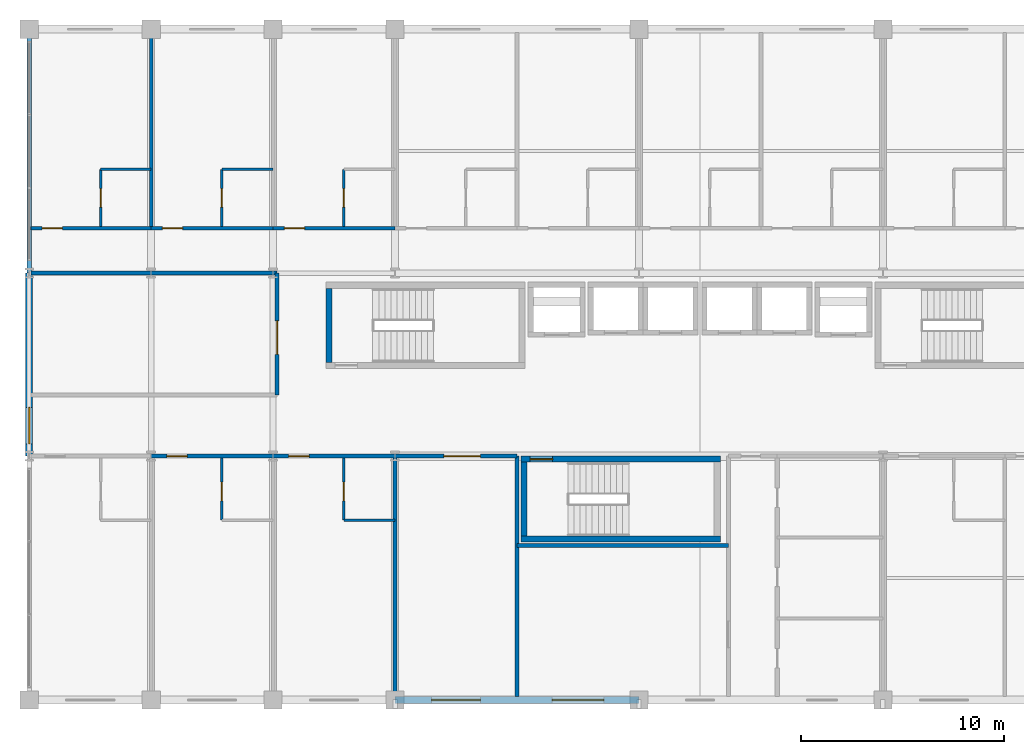
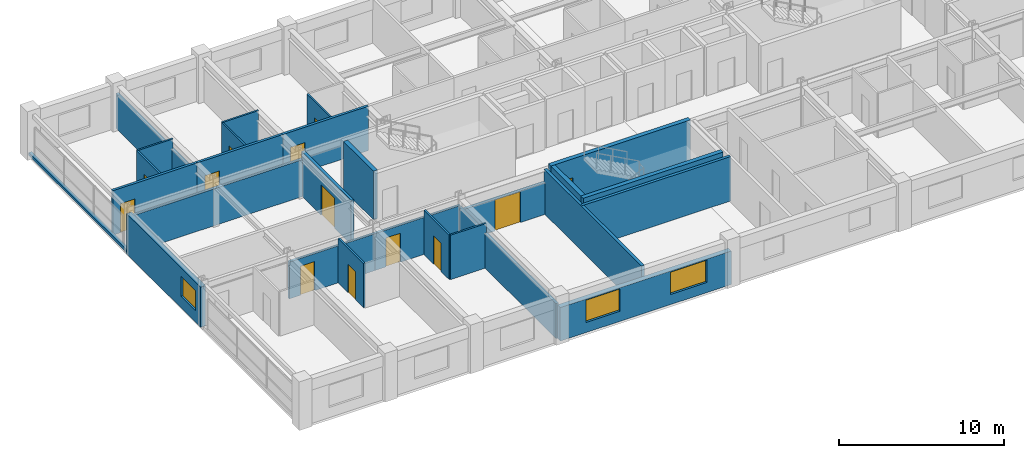
# One storey, part 16 of 22: 27 walls, 13 doors, 3 windows, 16 openings.
"""IFC4 building model written with IfcOpenShell, lengths in metres."""

from ifc_helpers import new_model, si_unit, direction, frame, frame_2d, origin, place, context, subcontext, project, spatial, rectangle, extrude, material, layer, layer_set, type_object, element, fill, save


model = new_model("IFC4")

# Units and contexts
model_context = context("Model", 3, precision=1e-05, world=origin(), true_north=direction((0.0, 1.0)))
body_context = subcontext(model_context, "Body", "Model", "MODEL_VIEW")
ifc_project = project(units=[si_unit("LENGTHUNIT", "METRE"), si_unit("AREAUNIT", "SQUARE_METRE"), si_unit("VOLUMEUNIT", "CUBIC_METRE"), si_unit("PLANEANGLEUNIT", "RADIAN"), si_unit("MASSUNIT", "GRAM", prefix="KILO")], contexts=[model_context])

# Site, building, storey
site_placement = place(None, origin())
site = spatial("IfcSite", under=ifc_project, at=site_placement, CompositionType="ELEMENT")
building_placement = place(site_placement, origin())
building = spatial("IfcBuilding", under=site, at=building_placement, Name="Kaldorvane Square Convention Centre", CompositionType="ELEMENT")
storey_placement = place(building_placement, frame((0.0, 0.0, 34.80000305175781)))
storey = spatial("IfcBuildingStorey", under=building, at=storey_placement, Name="L07", CompositionType="ELEMENT", Elevation=34.80000305175781)

# Wall, opening, door
ifc_material_1 = material(Name="Fire-Rated Gypsum Board on Acoustic Steel Studs", Category="steel")
ifc_layer_1 = layer(ifc_material_1, 0.125)
ifc_layer_set_1 = layer_set([ifc_layer_1], Name="Fire-Rated Gypsum Board on Acoustic Steel Studs")
wall_type_1 = type_object("IfcWallType", Name="WL-BATH-125", PredefinedType="PARTITIONING", material=ifc_layer_set_1)
wall_1_placement = place(storey_placement, frame((27.520004272460938, 107.28999328613281, 0.0), z_axis=(0.0, 0.0, 1.0), x_axis=(0.0, 1.0, 0.0)))
wall_1 = element("IfcWall", 1, at=wall_1_placement, inside=storey, type_object=wall_type_1, Name="En-Suite 701 West Wall", PredefinedType="PARTITIONING", context=body_context, shape_type="SweptSolid", body=[
    extrude(rectangle(XDim=2.8100128173828125, YDim=0.125, at=frame_2d((1.404998779296875, 0.0))), origin(), (0.0, 0.0, 1.0), 3.2899932861328125),
])
opening_1_placement = place(wall_1_placement, frame((0.9499969482421875, 0.0, 0.0)))
opening_1 = element("IfcOpeningElement", 2, at=opening_1_placement, cuts=wall_1, Name="Opening ID-12", PredefinedType="OPENING", context=body_context, shape_type="SweptSolid", body=[
    extrude(rectangle(XDim=0.9199981689453125, YDim=2.100006103515625, at=frame_2d((0.459991455078125, 1.0500030517578125))), frame((0.0, 0.0774993896484375, 0.0), z_axis=(0.0, -1.0, 0.0), x_axis=(1.0, 0.0, 0.0)), (0.0, 0.0, 1.0), 0.154998779296875),
])
ifc_material_2 = material(Name="Architectural Solid-Core White Oak")
door_type_1 = type_object("IfcDoorType", Name="DR-BATH-0920X2100", OperationType="SINGLE_SWING_RIGHT", PredefinedType="DOOR", material=ifc_material_2)
door_1_placement = place(opening_1_placement, origin())
door_1 = element("IfcDoor", 3, at=door_1_placement, inside=storey, type_object=door_type_1, Name="En-Suite Bathroom 701 Door", OperationType="SINGLE_SWING_RIGHT", OverallHeight=2.100006103515625, OverallWidth=0.9199981689453125, PredefinedType="DOOR", context=body_context, shape_type="SweptSolid", body=[
    extrude(rectangle(XDim=0.9199981689453125, YDim=2.100006103515625, at=frame_2d((0.459991455078125, 1.0500030517578125))), frame((0.0, 0.024993896484375, 0.0), z_axis=(0.0, -1.0, 0.0), x_axis=(1.0, 0.0, 0.0)), (0.0, 0.0, 1.0), 0.0500030517578125),
])
fill(opening_1, door_1)

# Wall
wall_2_placement = place(storey_placement, frame((27.520004272460938, 110.10000610351562, 0.0), z_axis=(0.0, 0.0, 1.0), x_axis=(1.0, 0.0, 0.0)))
element("IfcWall", 4, at=wall_2_placement, inside=storey, type_object=wall_type_1, Name="En-Suite 701 North Wall", PredefinedType="PARTITIONING", context=body_context, shape_type="SweptSolid", body=[
    extrude(rectangle(XDim=2.4799957275390625, YDim=0.125, at=frame_2d((1.239990234375, 0.0))), origin(), (0.0, 0.0, 1.0), 3.2899932861328125),
])

# Wall, opening, door
wall_3_placement = place(storey_placement, frame((33.47999572753906, 107.28999328613281, 0.0), z_axis=(0.0, 0.0, 1.0), x_axis=(0.0, 1.0, 0.0)))
wall_3 = element("IfcWall", 5, at=wall_3_placement, inside=storey, type_object=wall_type_1, Name="En-Suite 702 West Wall", PredefinedType="PARTITIONING", context=body_context, shape_type="SweptSolid", body=[
    extrude(rectangle(XDim=2.8100128173828125, YDim=0.125, at=frame_2d((1.404998779296875, 0.0))), origin(), (0.0, 0.0, 1.0), 3.2899932861328125),
])
opening_2_placement = place(wall_3_placement, frame((0.9499969482421875, 0.0, 0.0)))
opening_2 = element("IfcOpeningElement", 6, at=opening_2_placement, cuts=wall_3, Name="Opening ID-12", PredefinedType="OPENING", context=body_context, shape_type="SweptSolid", body=[
    extrude(rectangle(XDim=0.9199981689453125, YDim=2.100006103515625, at=frame_2d((0.459991455078125, 1.0500030517578125))), frame((0.0, 0.0774993896484375, 0.0), z_axis=(0.0, -1.0, 0.0), x_axis=(1.0, 0.0, 0.0)), (0.0, 0.0, 1.0), 0.154998779296875),
])
door_2_placement = place(opening_2_placement, origin())
door_2 = element("IfcDoor", 7, at=door_2_placement, inside=storey, type_object=door_type_1, Name="En-Suite Bathroom 702 Door", OperationType="SINGLE_SWING_RIGHT", OverallHeight=2.100006103515625, OverallWidth=0.9199981689453125, PredefinedType="DOOR", context=body_context, shape_type="SweptSolid", body=[
    extrude(rectangle(XDim=0.9199981689453125, YDim=2.100006103515625, at=frame_2d((0.459991455078125, 1.0500030517578125))), frame((0.0, 0.024993896484375, 0.0), z_axis=(0.0, -1.0, 0.0), x_axis=(1.0, 0.0, 0.0)), (0.0, 0.0, 1.0), 0.0500030517578125),
])
fill(opening_2, door_2)

# Wall
wall_4_placement = place(storey_placement, frame((33.47999572753906, 110.10000610351562, 0.0), z_axis=(0.0, 0.0, 1.0), x_axis=(1.0, 0.0, 0.0)))
element("IfcWall", 8, at=wall_4_placement, inside=storey, type_object=wall_type_1, Name="En-Suite 702 North Wall", PredefinedType="PARTITIONING", context=body_context, shape_type="SweptSolid", body=[
    extrude(rectangle(XDim=2.5200042724609375, YDim=0.125, at=frame_2d((1.260009765625, 0.0))), origin(), (0.0, 0.0, 1.0), 3.2899932861328125),
])

# Wall, opening, door
wall_5_placement = place(storey_placement, frame((39.47999572753906, 107.28999328613281, 0.0), z_axis=(0.0, 0.0, 1.0), x_axis=(0.0, 1.0, 0.0)))
wall_5 = element("IfcWall", 9, at=wall_5_placement, inside=storey, type_object=wall_type_1, Name="En-Suite 703 West Wall", PredefinedType="PARTITIONING", context=body_context, shape_type="SweptSolid", body=[
    extrude(rectangle(XDim=2.8100128173828125, YDim=0.125, at=frame_2d((1.404998779296875, 0.0))), origin(), (0.0, 0.0, 1.0), 3.2899932861328125),
])
opening_3_placement = place(wall_5_placement, frame((0.9499969482421875, 0.0, 0.0)))
opening_3 = element("IfcOpeningElement", 10, at=opening_3_placement, cuts=wall_5, Name="Opening ID-12", PredefinedType="OPENING", context=body_context, shape_type="SweptSolid", body=[
    extrude(rectangle(XDim=0.9199981689453125, YDim=2.100006103515625, at=frame_2d((0.459991455078125, 1.0500030517578125))), frame((0.0, 0.0774993896484375, 0.0), z_axis=(0.0, -1.0, 0.0), x_axis=(1.0, 0.0, 0.0)), (0.0, 0.0, 1.0), 0.154998779296875),
])
door_3_placement = place(opening_3_placement, origin())
door_3 = element("IfcDoor", 11, at=door_3_placement, inside=storey, type_object=door_type_1, Name="En-Suite Bathroom 703 Door", OperationType="SINGLE_SWING_RIGHT", OverallHeight=2.100006103515625, OverallWidth=0.9199981689453125, PredefinedType="DOOR", context=body_context, shape_type="SweptSolid", body=[
    extrude(rectangle(XDim=0.9199981689453125, YDim=2.100006103515625, at=frame_2d((0.459991455078125, 1.0500030517578125))), frame((0.0, 0.024993896484375, 0.0), z_axis=(0.0, -1.0, 0.0), x_axis=(1.0, 0.0, 0.0)), (0.0, 0.0, 1.0), 0.0500030517578125),
])
fill(opening_3, door_3)

wall_6_placement = place(storey_placement, frame((33.47999572753906, 92.85000610351562, 0.0), z_axis=(0.0, 0.0, 1.0), x_axis=(0.0, 1.0, 0.0)))
wall_6 = element("IfcWall", 12, at=wall_6_placement, inside=storey, type_object=wall_type_1, Name="En-Suite 714 West Wall", PredefinedType="PARTITIONING", context=body_context, shape_type="SweptSolid", body=[
    extrude(rectangle(XDim=3.05999755859375, YDim=0.125, at=frame_2d((1.529998779296875, 0.0))), origin(), (0.0, 0.0, 1.0), 3.2899932861328125),
])
opening_4_placement = place(wall_6_placement, frame((0.9499969482421875, 0.0, 0.0)))
opening_4 = element("IfcOpeningElement", 13, at=opening_4_placement, cuts=wall_6, Name="Opening ID-12", PredefinedType="OPENING", context=body_context, shape_type="SweptSolid", body=[
    extrude(rectangle(XDim=0.9199981689453125, YDim=2.100006103515625, at=frame_2d((0.459991455078125, 1.0500030517578125))), frame((0.0, 0.0774993896484375, 0.0), z_axis=(0.0, -1.0, 0.0), x_axis=(1.0, 0.0, 0.0)), (0.0, 0.0, 1.0), 0.154998779296875),
])
door_4_placement = place(opening_4_placement, origin())
door_4 = element("IfcDoor", 14, at=door_4_placement, inside=storey, type_object=door_type_1, Name="En-Suite Bathroom 714 Door", OperationType="SINGLE_SWING_RIGHT", OverallHeight=2.100006103515625, OverallWidth=0.9199981689453125, PredefinedType="DOOR", context=body_context, shape_type="SweptSolid", body=[
    extrude(rectangle(XDim=0.9199981689453125, YDim=2.100006103515625, at=frame_2d((0.459991455078125, 1.0500030517578125))), frame((0.0, 0.024993896484375, 0.0), z_axis=(0.0, -1.0, 0.0), x_axis=(1.0, 0.0, 0.0)), (0.0, 0.0, 1.0), 0.0500030517578125),
])
fill(opening_4, door_4)

wall_7_placement = place(storey_placement, frame((39.47999572753906, 92.85000610351562, 0.0), z_axis=(0.0, 0.0, 1.0), x_axis=(0.0, 1.0, 0.0)))
wall_7 = element("IfcWall", 15, at=wall_7_placement, inside=storey, type_object=wall_type_1, Name="En-Suite 715 West Wall", PredefinedType="PARTITIONING", context=body_context, shape_type="SweptSolid", body=[
    extrude(rectangle(XDim=3.05999755859375, YDim=0.125, at=frame_2d((1.529998779296875, 0.0))), origin(), (0.0, 0.0, 1.0), 3.2899932861328125),
])
opening_5_placement = place(wall_7_placement, frame((0.9499969482421875, 0.0, 0.0)))
opening_5 = element("IfcOpeningElement", 16, at=opening_5_placement, cuts=wall_7, Name="Opening ID-12", PredefinedType="OPENING", context=body_context, shape_type="SweptSolid", body=[
    extrude(rectangle(XDim=0.9199981689453125, YDim=2.100006103515625, at=frame_2d((0.459991455078125, 1.0500030517578125))), frame((0.0, 0.0774993896484375, 0.0), z_axis=(0.0, -1.0, 0.0), x_axis=(1.0, 0.0, 0.0)), (0.0, 0.0, 1.0), 0.154998779296875),
])
door_5_placement = place(opening_5_placement, origin())
door_5 = element("IfcDoor", 17, at=door_5_placement, inside=storey, type_object=door_type_1, Name="En-Suite Bathroom 715 Door", OperationType="SINGLE_SWING_RIGHT", OverallHeight=2.100006103515625, OverallWidth=0.9199981689453125, PredefinedType="DOOR", context=body_context, shape_type="SweptSolid", body=[
    extrude(rectangle(XDim=0.9199981689453125, YDim=2.100006103515625, at=frame_2d((0.459991455078125, 1.0500030517578125))), frame((0.0, 0.024993896484375, 0.0), z_axis=(0.0, -1.0, 0.0), x_axis=(1.0, 0.0, 0.0)), (0.0, 0.0, 1.0), 0.0500030517578125),
])
fill(opening_5, door_5)

# Walls
wall_8_placement = place(storey_placement, frame((39.47999572753906, 92.85000610351562, 0.0), z_axis=(0.0, 0.0, 1.0), x_axis=(1.0, 0.0, 0.0)))
element("IfcWall", 18, at=wall_8_placement, inside=storey, type_object=wall_type_1, Name="En-Suite 715 South Wall", PredefinedType="PARTITIONING", context=body_context, shape_type="SweptSolid", body=[
    extrude(rectangle(XDim=2.5200042724609375, YDim=0.125, at=frame_2d((1.260009765625, 0.0))), origin(), (0.0, 0.0, 1.0), 3.2899932861328125),
])
ifc_layer_2 = layer(ifc_material_1, 0.1999969482421875)
ifc_layer_set_2 = layer_set([ifc_layer_2], Name="Fire-Rated Gypsum Board on Acoustic Steel Studs")
wall_type_2 = type_object("IfcWallType", Name="WL-CORR-200", PredefinedType="PARTITIONING", material=ifc_layer_set_2)
wall_9_placement = place(storey_placement, frame((48.0, 91.60000610351562, 0.0), z_axis=(0.0, 0.0, 1.0), x_axis=(1.0, 0.0, 0.0)))
element("IfcWall", 19, at=wall_9_placement, inside=storey, type_object=wall_type_2, Name="Housekeeping North Wall (L07)", PredefinedType="PARTITIONING", context=body_context, shape_type="SweptSolid", body=[
    extrude(rectangle(XDim=10.399993896484375, YDim=0.1999969482421875, at=frame_2d((5.1999969482421875, 0.0))), origin(), (0.0, 0.0, 1.0), 3.2899932861328125),
])
wall_10_placement = place(storey_placement, frame((48.0, 84.17500305175781, 0.0), z_axis=(0.0, 0.0, 1.0), x_axis=(0.0, 1.0, 0.0)))
element("IfcWall", 20, at=wall_10_placement, inside=storey, type_object=wall_type_2, Name="Service Block West Wall (L07)", PredefinedType="PARTITIONING", context=body_context, shape_type="SweptSolid", body=[
    extrude(rectangle(XDim=11.824996948242188, YDim=0.1999969482421875, at=frame_2d((5.912506103515625, 0.0))), origin(), (0.0, 0.0, 1.0), 3.2899932861328125),
])

# Wall, opening, door
wall_11_placement = place(storey_placement, frame((42.0, 96.0, 0.0), z_axis=(0.0, 0.0, 1.0), x_axis=(1.0, 0.0, 0.0)))
wall_11 = element("IfcWall", 21, at=wall_11_placement, inside=storey, type_object=wall_type_2, Name="South Tower Club Lounge Corridor Wall (L07)", PredefinedType="PARTITIONING", context=body_context, shape_type="SweptSolid", body=[
    extrude(rectangle(XDim=6.0, YDim=0.1999969482421875, at=frame_2d((3.0, 0.0))), origin(), (0.0, 0.0, 1.0), 2.3589935302734375),
])
opening_6_placement = place(wall_11_placement, frame((2.399993896484375, 0.0, 0.0)))
opening_6 = element("IfcOpeningElement", 22, at=opening_6_placement, cuts=wall_11, Name="Opening ID-15", PredefinedType="OPENING", context=body_context, shape_type="SweptSolid", body=[
    extrude(rectangle(XDim=1.8000030517578125, YDim=2.3000030517578125, at=frame_2d((0.899993896484375, 1.149993896484375))), frame((0.0, 0.114990234375, 0.0), z_axis=(0.0, -1.0, 0.0), x_axis=(1.0, 0.0, 0.0)), (0.0, 0.0, 1.0), 0.2299957275390625),
])
ifc_material_3 = material(Name="Acoustic Laminated Glass in Aluminum Frame", Category="aluminium")
door_type_2 = type_object("IfcDoorType", Name="DR-GL-1800X2300", OperationType="DOUBLE_DOOR_SINGLE_SWING", PredefinedType="DOOR", material=ifc_material_3)
door_6_placement = place(opening_6_placement, origin())
door_6 = element("IfcDoor", 23, at=door_6_placement, inside=storey, type_object=door_type_2, Name="South Tower Club Lounge Entry Door (L07)", OperationType="DOUBLE_DOOR_SINGLE_SWING", OverallHeight=2.3000030517578125, OverallWidth=1.8000030517578125, PredefinedType="DOOR", context=body_context, shape_type="SweptSolid", body=[
    extrude(rectangle(XDim=1.8000030517578125, YDim=2.3000030517578125, at=frame_2d((0.899993896484375, 1.149993896484375))), frame((0.0, 0.024993896484375, 0.0), z_axis=(0.0, -1.0, 0.0), x_axis=(1.0, 0.0, 0.0)), (0.0, 0.0, 1.0), 0.0500030517578125),
])
fill(opening_6, door_6)

wall_12_placement = place(storey_placement, frame((36.19999694824219, 99.0, 0.0), z_axis=(0.0, 0.0, 1.0), x_axis=(0.0, 1.0, 0.0)))
wall_12 = element("IfcWall", 24, at=wall_12_placement, inside=storey, type_object=wall_type_2, Name="West Sunset Sitting Alcove (L07) E Wall", PredefinedType="PARTITIONING", context=body_context, shape_type="SweptSolid", body=[
    extrude(rectangle(XDim=6.0, YDim=0.1999969482421875, at=frame_2d((3.0, 0.0))), origin(), (0.0, 0.0, 1.0), 3.2899932861328125),
])
opening_7_placement = place(wall_12_placement, frame((2.0, 0.0, 0.0)))
opening_7 = element("IfcOpeningElement", 25, at=opening_7_placement, cuts=wall_12, Name="Opening ID-16", PredefinedType="OPENING", context=body_context, shape_type="SweptSolid", body=[
    extrude(rectangle(XDim=1.649993896484375, YDim=2.25, at=frame_2d((0.8249969482421875, 1.125))), frame((0.0, 0.114990234375, 0.0), z_axis=(0.0, -1.0, 0.0), x_axis=(1.0, 0.0, 0.0)), (0.0, 0.0, 1.0), 0.2299957275390625),
])
door_type_3 = type_object("IfcDoorType", Name="DR-GL-1650X2250", OperationType="DOUBLE_DOOR_SINGLE_SWING", PredefinedType="DOOR", material=ifc_material_3)
door_7_placement = place(opening_7_placement, origin())
door_7 = element("IfcDoor", 26, at=door_7_placement, inside=storey, type_object=door_type_3, Name="West Sunset Sitting Alcove (L07) Door 1", OperationType="DOUBLE_DOOR_SINGLE_SWING", OverallHeight=2.25, OverallWidth=1.649993896484375, PredefinedType="DOOR", context=body_context, shape_type="SweptSolid", body=[
    extrude(rectangle(XDim=1.649993896484375, YDim=2.25, at=frame_2d((0.8249969482421875, 1.125))), frame((0.0, 0.024993896484375, 0.0), z_axis=(0.0, -1.0, 0.0), x_axis=(1.0, 0.0, 0.0)), (0.0, 0.0, 1.0), 0.0500030517578125),
])
fill(opening_7, door_7)

# Wall
wall_13_placement = place(storey_placement, frame((36.19999694824219, 105.0, 0.0), z_axis=(0.0, 0.0, 1.0), x_axis=(-1.0, 0.0, 0.0)))
element("IfcWall", 27, at=wall_13_placement, inside=storey, type_object=wall_type_2, Name="West Sunset Sitting Alcove (L07) N Wall", PredefinedType="PARTITIONING", context=body_context, shape_type="SweptSolid", body=[
    extrude(rectangle(XDim=12.114990234375, YDim=0.1999969482421875, at=frame_2d((6.0574951171875, 0.0))), origin(), (0.0, 0.0, 1.0), 2.735992431640625),
])

# Wall, openings, windows
ifc_material_4 = material(Name="Concrete f'c = 42 MPa (Normalweight)", Category="concrete")
ifc_layer_3 = layer(ifc_material_4, 0.350006103515625)
ifc_layer_set_3 = layer_set([ifc_layer_3], Name="Concrete f'c = 42 MPa (Normalweight)")
wall_type_3 = type_object("IfcWallType", Name="WL-EXT-350", PredefinedType="STANDARD", material=ifc_layer_set_3)
wall_14_placement = place(storey_placement, frame((42.0, 84.0, 0.0), z_axis=(0.0, 0.0, 1.0), x_axis=(1.0, 0.0, 0.0)))
wall_14 = element("IfcWall", 28, at=wall_14_placement, inside=storey, type_object=wall_type_3, Name="Hotel S Brutalist Facade Wall (L07)", PredefinedType="STANDARD", context=body_context, shape_type="SweptSolid", body=[
    extrude(rectangle(XDim=12.0, YDim=0.350006103515625, at=frame_2d((6.0, 0.0))), origin(), (0.0, 0.0, 1.0), 2.485992431640625),
])
opening_8_placement = place(wall_14_placement, frame((1.8000030517578125, 0.0, 0.75)))
opening_8 = element("IfcOpeningElement", 29, at=opening_8_placement, cuts=wall_14, Name="Opening W-01", PredefinedType="OPENING", context=body_context, shape_type="SweptSolid", body=[
    extrude(rectangle(XDim=2.399993896484375, YDim=1.649993896484375, at=frame_2d((1.1999969482421875, 0.8249969482421875))), frame((0.0, 0.19000244140625, 0.0), z_axis=(0.0, -1.0, 0.0), x_axis=(1.0, 0.0, 0.0)), (0.0, 0.0, 1.0), 0.3800048828125),
])
opening_9_placement = place(wall_14_placement, frame((7.725006103515625, 0.0, 0.75)))
opening_9 = element("IfcOpeningElement", 30, at=opening_9_placement, cuts=wall_14, Name="Opening W-02", PredefinedType="OPENING", context=body_context, shape_type="SweptSolid", body=[
    extrude(rectangle(XDim=2.5500030517578125, YDim=1.649993896484375, at=frame_2d((1.274993896484375, 0.8249969482421875))), frame((0.0, 0.19000244140625, 0.0), z_axis=(0.0, -1.0, 0.0), x_axis=(1.0, 0.0, 0.0)), (0.0, 0.0, 1.0), 0.3800048828125),
])
ifc_material_5 = material(Name="Anodized Aluminum and Low-E Insulated Glazing", Category="aluminium")
window_type_1 = type_object("IfcWindowType", Name="WN-HTL-2400X1650", PartitioningType="DOUBLE_PANEL_VERTICAL", PredefinedType="WINDOW", material=ifc_material_5)
window_1_placement = place(opening_8_placement, origin())
window_1 = element("IfcWindow", 31, at=window_1_placement, inside=storey, type_object=window_type_1, Name="Hotel S Window (L07)", OverallHeight=1.649993896484375, OverallWidth=2.399993896484375, PartitioningType="DOUBLE_PANEL_VERTICAL", PredefinedType="WINDOW", context=body_context, shape_type="SweptSolid", body=[
    extrude(rectangle(XDim=2.399993896484375, YDim=1.649993896484375, at=frame_2d((1.1999969482421875, 0.8249969482421875))), frame((0.0, 0.029998779296875, 0.0), z_axis=(0.0, -1.0, 0.0), x_axis=(1.0, 0.0, 0.0)), (0.0, 0.0, 1.0), 0.05999755859375),
])
fill(opening_8, window_1)
window_type_2 = type_object("IfcWindowType", Name="WN-HTL-2550X1650", PartitioningType="DOUBLE_PANEL_VERTICAL", PredefinedType="WINDOW", material=ifc_material_5)
window_2_placement = place(opening_9_placement, origin())
window_2 = element("IfcWindow", 32, at=window_2_placement, inside=storey, type_object=window_type_2, Name="Hotel S Window (L07)", OverallHeight=1.649993896484375, OverallWidth=2.5500030517578125, PartitioningType="DOUBLE_PANEL_VERTICAL", PredefinedType="WINDOW", context=body_context, shape_type="SweptSolid", body=[
    extrude(rectangle(XDim=2.5500030517578125, YDim=1.649993896484375, at=frame_2d((1.274993896484375, 0.8249969482421875))), frame((0.0, 0.029998779296875, 0.0), z_axis=(0.0, -1.0, 0.0), x_axis=(1.0, 0.0, 0.0)), (0.0, 0.0, 1.0), 0.05999755859375),
])
fill(opening_9, window_2)

# Wall, opening, window
wall_15_placement = place(storey_placement, frame((24.0, 105.0, 0.0), z_axis=(0.0, 0.0, 1.0), x_axis=(0.0, -1.0, 0.0)))
wall_15 = element("IfcWall", 33, at=wall_15_placement, inside=storey, type_object=wall_type_3, Name="Hotel W End Wall (L07)", PredefinedType="STANDARD", context=body_context, shape_type="SweptSolid", body=[
    extrude(rectangle(XDim=9.0, YDim=0.350006103515625, at=frame_2d((4.5, 0.0))), origin(), (0.0, 0.0, 1.0), 2.9810028076171875),
])
opening_10_placement = place(wall_15_placement, frame((6.600006103515625, 0.0, 0.850006103515625)))
opening_10 = element("IfcOpeningElement", 34, at=opening_10_placement, cuts=wall_15, Name="Opening W-11", PredefinedType="OPENING", context=body_context, shape_type="SweptSolid", body=[
    extrude(rectangle(XDim=1.8000030517578125, YDim=1.5, at=frame_2d((0.899993896484375, 0.75))), frame((0.0, 0.19000244140625, 0.0), z_axis=(0.0, -1.0, 0.0), x_axis=(1.0, 0.0, 0.0)), (0.0, 0.0, 1.0), 0.3800048828125),
])
window_type_3 = type_object("IfcWindowType", Name="WN-HTL-1800X1500", PartitioningType="SINGLE_PANEL", PredefinedType="WINDOW", material=ifc_material_5)
window_3_placement = place(opening_10_placement, origin())
window_3 = element("IfcWindow", 35, at=window_3_placement, inside=storey, type_object=window_type_3, Name="Hotel End Window W (L07)", OverallHeight=1.5, OverallWidth=1.8000030517578125, PartitioningType="SINGLE_PANEL", PredefinedType="WINDOW", context=body_context, shape_type="SweptSolid", body=[
    extrude(rectangle(XDim=1.8000030517578125, YDim=1.5, at=frame_2d((0.899993896484375, 0.75))), frame((0.0, 0.029998779296875, 0.0), z_axis=(0.0, -1.0, 0.0), x_axis=(1.0, 0.0, 0.0)), (0.0, 0.0, 1.0), 0.05999755859375),
])
fill(opening_10, window_3)

# Walls
ifc_material_6 = material(Name="Concrete f'c = 35 MPa (Normalweight)", Category="concrete")
ifc_layer_4 = layer(ifc_material_6, 0.220001220703125)
ifc_layer_set_4 = layer_set([ifc_layer_4], Name="Concrete f'c = 35 MPa (Normalweight)")
wall_type_4 = type_object("IfcWallType", Name="WL-PAR-220", PredefinedType="PARAPET", material=ifc_layer_set_4)
wall_16_placement = place(storey_placement, frame((24.0, 117.0, 0.0), z_axis=(0.0, 0.0, 1.0), x_axis=(0.0, -1.0, 0.0)))
element("IfcWall", 36, at=wall_16_placement, inside=storey, type_object=wall_type_4, Name="Hotel End Curtain-Wall Sill (L07)", PredefinedType="PARAPET", context=body_context, shape_type="SweptSolid", body=[
    extrude(rectangle(XDim=12.0, YDim=0.220001220703125, at=frame_2d((6.0, 0.0))), origin(), (0.0, 0.0, 1.0), 0.1999969482421875),
])
ifc_material_7 = material(Name="Concrete f'c = 55 MPa (Normalweight)", Category="concrete")
ifc_layer_5 = layer(ifc_material_7, 0.3000030517578125)
ifc_layer_set_5 = layer_set([ifc_layer_5], Name="Concrete f'c = 55 MPa (Normalweight)")
wall_type_5 = type_object("IfcWallType", Name="WL-SHAFT-300", PredefinedType="SHEAR", material=ifc_layer_set_5)
wall_17_placement = place(storey_placement, frame((38.75, 104.25, 0.0), z_axis=(0.0, 0.0, 1.0), x_axis=(0.0, -1.0, 0.0)))
element("IfcWall", 37, at=wall_17_placement, inside=storey, type_object=wall_type_5, Name="Core Enclosure Wall stair:ST-T1-W (L07)", PredefinedType="SHEAR", context=body_context, shape_type="SweptSolid", body=[
    extrude(rectangle(XDim=3.6399993896484375, YDim=0.3000030517578125, at=frame_2d((1.82000732421875, 0.0))), origin(), (0.0, 0.0, 1.0), 3.5999908447265625),
])
wall_18_placement = place(storey_placement, frame((48.19999694824219, 91.91000366210938, 0.0), z_axis=(0.0, 0.0, 1.0), x_axis=(1.0, 0.0, 0.0)))
element("IfcWall", 38, at=wall_18_placement, inside=storey, type_object=wall_type_5, Name="Core Enclosure Wall stair:ST-T3-S (L07)", PredefinedType="SHEAR", context=body_context, shape_type="SweptSolid", body=[
    extrude(rectangle(XDim=9.800003051757812, YDim=0.3000030517578125, at=frame_2d((4.899993896484375, 0.0))), origin(), (0.0, 0.0, 1.0), 3.5999908447265625),
])

# Wall, opening, door
wall_19_placement = place(storey_placement, frame((58.0, 95.85000610351562, 0.0), z_axis=(0.0, 0.0, 1.0), x_axis=(-1.0, 0.0, 0.0)))
wall_19 = element("IfcWall", 39, at=wall_19_placement, inside=storey, type_object=wall_type_5, Name="Core Enclosure Wall stair:ST-T3-N (L07)", PredefinedType="SHEAR", context=body_context, shape_type="SweptSolid", body=[
    extrude(rectangle(XDim=9.800003051757812, YDim=0.3000030517578125, at=frame_2d((4.899993896484375, 0.0))), origin(), (0.0, 0.0, 1.0), 3.5999908447265625),
])
opening_11_placement = place(wall_19_placement, frame((8.25, 0.0, 0.0)))
opening_11 = element("IfcOpeningElement", 40, at=opening_11_placement, cuts=wall_19, Name="Opening FD90-S1", PredefinedType="OPENING", context=body_context, shape_type="SweptSolid", body=[
    extrude(rectangle(XDim=1.100006103515625, YDim=2.1999969482421875, at=frame_2d((0.5500030517578125, 1.100006103515625))), frame((0.0, 0.165008544921875, 0.0), z_axis=(0.0, -1.0, 0.0), x_axis=(1.0, 0.0, 0.0)), (0.0, 0.0, 1.0), 0.3300018310546875),
])
ifc_material_8 = material(Name="Fire-Rated Hollow Metal Steel", Category="steel")
door_type_4 = type_object("IfcDoorType", Name="DR-STAIR-1100", OperationType="SINGLE_SWING_RIGHT", PredefinedType="DOOR", material=ifc_material_8)
door_8_placement = place(opening_11_placement, origin())
door_8 = element("IfcDoor", 41, at=door_8_placement, inside=storey, type_object=door_type_4, Name="Tower Exit Stair T3 Fire Door (L07)", OperationType="SINGLE_SWING_RIGHT", OverallHeight=2.1999969482421875, OverallWidth=1.100006103515625, PredefinedType="DOOR", context=body_context, shape_type="SweptSolid", body=[
    extrude(rectangle(XDim=1.100006103515625, YDim=2.1999969482421875, at=frame_2d((0.5500030517578125, 1.100006103515625))), frame((0.0, 0.024993896484375, 0.0), z_axis=(0.0, -1.0, 0.0), x_axis=(1.0, 0.0, 0.0)), (0.0, 0.0, 1.0), 0.0500030517578125),
])
fill(opening_11, door_8)

# Wall
wall_20_placement = place(storey_placement, frame((48.350006103515625, 95.69999694824219, 0.0), z_axis=(0.0, 0.0, 1.0), x_axis=(0.0, -1.0, 0.0)))
element("IfcWall", 42, at=wall_20_placement, inside=storey, type_object=wall_type_5, Name="Core Enclosure Wall stair:ST-T3-W (L07)", PredefinedType="SHEAR", context=body_context, shape_type="SweptSolid", body=[
    extrude(rectangle(XDim=3.6399993896484375, YDim=0.3000030517578125, at=frame_2d((1.82000732421875, 0.0))), origin(), (0.0, 0.0, 1.0), 3.5999908447265625),
])

# Wall, opening, door
ifc_layer_6 = layer(ifc_material_1, 0.17999267578125)
ifc_layer_set_6 = layer_set([ifc_layer_6], Name="Fire-Rated Gypsum Board on Acoustic Steel Studs")
wall_type_6 = type_object("IfcWallType", Name="WL-UNIT-180", PredefinedType="PARTITIONING", material=ifc_layer_set_6)
wall_21_placement = place(storey_placement, frame((24.085006713867188, 107.19999694824219, 0.0), z_axis=(0.0, 0.0, 1.0), x_axis=(1.0, 0.0, 0.0)))
wall_21 = element("IfcWall", 43, at=wall_21_placement, inside=storey, type_object=wall_type_6, Name="Hotel Guest Room 701 Corridor Wall", PredefinedType="PARTITIONING", context=body_context, shape_type="SweptSolid", body=[
    extrude(rectangle(XDim=5.9149932861328125, YDim=0.17999267578125, at=frame_2d((2.957489013671875, 0.0))), origin(), (0.0, 0.0, 1.0), 3.2899932861328125),
])
opening_12_placement = place(wall_21_placement, frame((0.5500030517578125, 0.0, 0.0)))
opening_12 = element("IfcOpeningElement", 44, at=opening_12_placement, cuts=wall_21, Name="Opening ID-10", PredefinedType="OPENING", context=body_context, shape_type="SweptSolid", body=[
    extrude(rectangle(XDim=1.0, YDim=2.149993896484375, at=frame_2d((0.5, 1.0749969482421875))), frame((0.0, 0.1049957275390625, 0.0), z_axis=(0.0, -1.0, 0.0), x_axis=(1.0, 0.0, 0.0)), (0.0, 0.0, 1.0), 0.209991455078125),
])
door_type_5 = type_object("IfcDoorType", Name="DR-GUEST-1000X2150", OperationType="SINGLE_SWING_LEFT", PredefinedType="DOOR", material=ifc_material_2)
door_9_placement = place(opening_12_placement, origin())
door_9 = element("IfcDoor", 45, at=door_9_placement, inside=storey, type_object=door_type_5, Name="Hotel Guest Room 701 Entry Door", OperationType="SINGLE_SWING_LEFT", OverallHeight=2.149993896484375, OverallWidth=1.0, PredefinedType="DOOR", context=body_context, shape_type="SweptSolid", body=[
    extrude(rectangle(XDim=1.0, YDim=2.149993896484375, at=frame_2d((0.5, 1.0749969482421875))), frame((0.0, 0.024993896484375, 0.0), z_axis=(0.0, -1.0, 0.0), x_axis=(1.0, 0.0, 0.0)), (0.0, 0.0, 1.0), 0.0500030517578125),
])
fill(opening_12, door_9)

# Wall
wall_22_placement = place(storey_placement, frame((30.0, 107.19999694824219, 0.0), z_axis=(0.0, 0.0, 1.0), x_axis=(0.0, 1.0, 0.0)))
element("IfcWall", 46, at=wall_22_placement, inside=storey, type_object=wall_type_6, Name="Guestroom Demising Wall 701", PredefinedType="PARTITIONING", context=body_context, shape_type="SweptSolid", body=[
    extrude(rectangle(XDim=9.625, YDim=0.17999267578125, at=frame_2d((4.8125, 0.0))), origin(), (0.0, 0.0, 1.0), 2.589996337890625),
])

# Wall, opening, door
wall_23_placement = place(storey_placement, frame((30.0, 107.19999694824219, 0.0), z_axis=(0.0, 0.0, 1.0), x_axis=(1.0, 0.0, 0.0)))
wall_23 = element("IfcWall", 47, at=wall_23_placement, inside=storey, type_object=wall_type_6, Name="Hotel Guest Room 702 Corridor Wall", PredefinedType="PARTITIONING", context=body_context, shape_type="SweptSolid", body=[
    extrude(rectangle(XDim=6.0, YDim=0.17999267578125, at=frame_2d((3.0, 0.0))), origin(), (0.0, 0.0, 1.0), 3.2899932861328125),
])
opening_13_placement = place(wall_23_placement, frame((0.5500030517578125, 0.0, 0.0)))
opening_13 = element("IfcOpeningElement", 48, at=opening_13_placement, cuts=wall_23, Name="Opening ID-10", PredefinedType="OPENING", context=body_context, shape_type="SweptSolid", body=[
    extrude(rectangle(XDim=1.0, YDim=2.149993896484375, at=frame_2d((0.5, 1.0749969482421875))), frame((0.0, 0.1049957275390625, 0.0), z_axis=(0.0, -1.0, 0.0), x_axis=(1.0, 0.0, 0.0)), (0.0, 0.0, 1.0), 0.209991455078125),
])
door_10_placement = place(opening_13_placement, origin())
door_10 = element("IfcDoor", 49, at=door_10_placement, inside=storey, type_object=door_type_5, Name="Hotel Guest Room 702 Entry Door", OperationType="SINGLE_SWING_LEFT", OverallHeight=2.149993896484375, OverallWidth=1.0, PredefinedType="DOOR", context=body_context, shape_type="SweptSolid", body=[
    extrude(rectangle(XDim=1.0, YDim=2.149993896484375, at=frame_2d((0.5, 1.0749969482421875))), frame((0.0, 0.024993896484375, 0.0), z_axis=(0.0, -1.0, 0.0), x_axis=(1.0, 0.0, 0.0)), (0.0, 0.0, 1.0), 0.0500030517578125),
])
fill(opening_13, door_10)

wall_24_placement = place(storey_placement, frame((36.0, 107.19999694824219, 0.0), z_axis=(0.0, 0.0, 1.0), x_axis=(1.0, 0.0, 0.0)))
wall_24 = element("IfcWall", 50, at=wall_24_placement, inside=storey, type_object=wall_type_6, Name="Hotel Guest Room 703 Corridor Wall", PredefinedType="PARTITIONING", context=body_context, shape_type="SweptSolid", body=[
    extrude(rectangle(XDim=6.0, YDim=0.17999267578125, at=frame_2d((3.0, 0.0))), origin(), (0.0, 0.0, 1.0), 3.2899932861328125),
])
opening_14_placement = place(wall_24_placement, frame((0.5500030517578125, 0.0, 0.0)))
opening_14 = element("IfcOpeningElement", 51, at=opening_14_placement, cuts=wall_24, Name="Opening ID-10", PredefinedType="OPENING", context=body_context, shape_type="SweptSolid", body=[
    extrude(rectangle(XDim=1.0, YDim=2.149993896484375, at=frame_2d((0.5, 1.0749969482421875))), frame((0.0, 0.1049957275390625, 0.0), z_axis=(0.0, -1.0, 0.0), x_axis=(1.0, 0.0, 0.0)), (0.0, 0.0, 1.0), 0.209991455078125),
])
door_11_placement = place(opening_14_placement, origin())
door_11 = element("IfcDoor", 52, at=door_11_placement, inside=storey, type_object=door_type_5, Name="Hotel Guest Room 703 Entry Door", OperationType="SINGLE_SWING_LEFT", OverallHeight=2.149993896484375, OverallWidth=1.0, PredefinedType="DOOR", context=body_context, shape_type="SweptSolid", body=[
    extrude(rectangle(XDim=1.0, YDim=2.149993896484375, at=frame_2d((0.5, 1.0749969482421875))), frame((0.0, 0.024993896484375, 0.0), z_axis=(0.0, -1.0, 0.0), x_axis=(1.0, 0.0, 0.0)), (0.0, 0.0, 1.0), 0.0500030517578125),
])
fill(opening_14, door_11)

# Wall
wall_25_placement = place(storey_placement, frame((42.0, 84.17500305175781, 0.0), z_axis=(0.0, 0.0, 1.0), x_axis=(0.0, 1.0, 0.0)))
element("IfcWall", 53, at=wall_25_placement, inside=storey, type_object=wall_type_6, Name="South Tower Club Lounge West Wall (L07)", PredefinedType="PARTITIONING", context=body_context, shape_type="SweptSolid", body=[
    extrude(rectangle(XDim=11.824996948242188, YDim=0.17999267578125, at=frame_2d((5.912506103515625, 0.0))), origin(), (0.0, 0.0, 1.0), 2.589996337890625),
])

# Wall, opening, door
wall_26_placement = place(storey_placement, frame((30.0, 96.0, 0.0), z_axis=(0.0, 0.0, 1.0), x_axis=(1.0, 0.0, 0.0)))
wall_26 = element("IfcWall", 54, at=wall_26_placement, inside=storey, type_object=wall_type_6, Name="Hotel Guest Room 714 Corridor Wall", PredefinedType="PARTITIONING", context=body_context, shape_type="SweptSolid", body=[
    extrude(rectangle(XDim=6.0, YDim=0.17999267578125, at=frame_2d((3.0, 0.0))), origin(), (0.0, 0.0, 1.0), 2.735992431640625),
])
opening_15_placement = place(wall_26_placement, frame((0.7700042724609375, 0.0, 0.0)))
opening_15 = element("IfcOpeningElement", 55, at=opening_15_placement, cuts=wall_26, Name="Opening ID-10", PredefinedType="OPENING", context=body_context, shape_type="SweptSolid", body=[
    extrude(rectangle(XDim=1.0, YDim=2.149993896484375, at=frame_2d((0.5, 1.0749969482421875))), frame((0.0, 0.1049957275390625, 0.0), z_axis=(0.0, -1.0, 0.0), x_axis=(1.0, 0.0, 0.0)), (0.0, 0.0, 1.0), 0.209991455078125),
])
door_12_placement = place(opening_15_placement, origin())
door_12 = element("IfcDoor", 56, at=door_12_placement, inside=storey, type_object=door_type_5, Name="Hotel Guest Room 714 Entry Door", OperationType="SINGLE_SWING_LEFT", OverallHeight=2.149993896484375, OverallWidth=1.0, PredefinedType="DOOR", context=body_context, shape_type="SweptSolid", body=[
    extrude(rectangle(XDim=1.0, YDim=2.149993896484375, at=frame_2d((0.5, 1.0749969482421875))), frame((0.0, 0.024993896484375, 0.0), z_axis=(0.0, -1.0, 0.0), x_axis=(1.0, 0.0, 0.0)), (0.0, 0.0, 1.0), 0.0500030517578125),
])
fill(opening_15, door_12)

wall_27_placement = place(storey_placement, frame((36.0, 96.0, 0.0), z_axis=(0.0, 0.0, 1.0), x_axis=(1.0, 0.0, 0.0)))
wall_27 = element("IfcWall", 57, at=wall_27_placement, inside=storey, type_object=wall_type_6, Name="Hotel Guest Room 715 Corridor Wall", PredefinedType="PARTITIONING", context=body_context, shape_type="SweptSolid", body=[
    extrude(rectangle(XDim=6.0, YDim=0.17999267578125, at=frame_2d((3.0, 0.0))), origin(), (0.0, 0.0, 1.0), 2.735992431640625),
])
opening_16_placement = place(wall_27_placement, frame((0.7700042724609375, 0.0, 0.0)))
opening_16 = element("IfcOpeningElement", 58, at=opening_16_placement, cuts=wall_27, Name="Opening ID-10", PredefinedType="OPENING", context=body_context, shape_type="SweptSolid", body=[
    extrude(rectangle(XDim=1.0, YDim=2.149993896484375, at=frame_2d((0.5, 1.0749969482421875))), frame((0.0, 0.1049957275390625, 0.0), z_axis=(0.0, -1.0, 0.0), x_axis=(1.0, 0.0, 0.0)), (0.0, 0.0, 1.0), 0.209991455078125),
])
door_13_placement = place(opening_16_placement, origin())
door_13 = element("IfcDoor", 59, at=door_13_placement, inside=storey, type_object=door_type_5, Name="Hotel Guest Room 715 Entry Door", OperationType="SINGLE_SWING_LEFT", OverallHeight=2.149993896484375, OverallWidth=1.0, PredefinedType="DOOR", context=body_context, shape_type="SweptSolid", body=[
    extrude(rectangle(XDim=1.0, YDim=2.149993896484375, at=frame_2d((0.5, 1.0749969482421875))), frame((0.0, 0.024993896484375, 0.0), z_axis=(0.0, -1.0, 0.0), x_axis=(1.0, 0.0, 0.0)), (0.0, 0.0, 1.0), 0.0500030517578125),
])
fill(opening_16, door_13)

save(model, "model.ifc")
